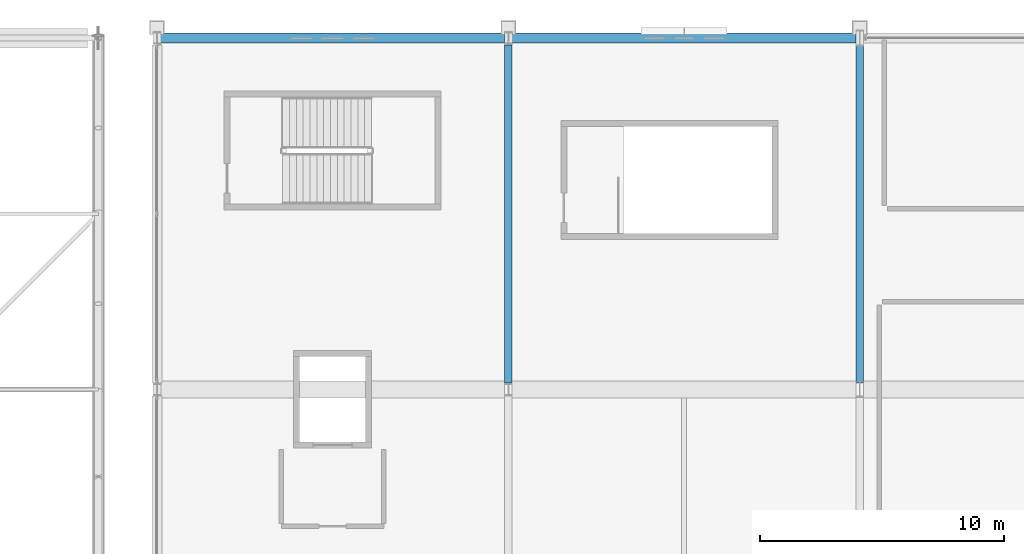
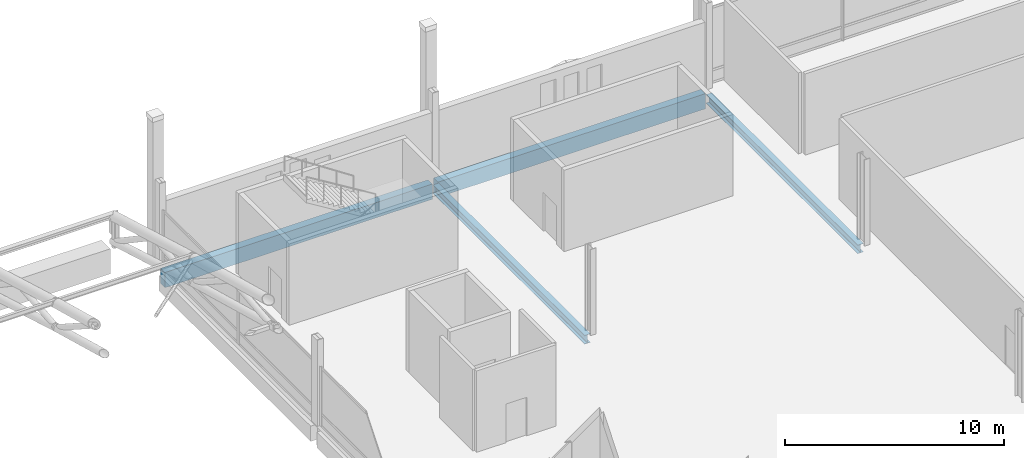
# One storey, part 103 of 193: 4 beams.
"""IFC4 building model written with IfcOpenShell, lengths in metres."""

from ifc_helpers import new_model, si_unit, direction, frame, origin, origin_2d, place, context, subcontext, project, spatial, rectangle, i_section, extrude, material, material_profile, profile_set, type_object, element, save


model = new_model("IFC4")

# Units and contexts
model_context = context("Model", 3, precision=1e-05, world=origin(), true_north=direction((0.0, 1.0)))
body_context = subcontext(model_context, "Body", "Model", "MODEL_VIEW")
ifc_project = project(units=[si_unit("LENGTHUNIT", "METRE"), si_unit("AREAUNIT", "SQUARE_METRE"), si_unit("VOLUMEUNIT", "CUBIC_METRE"), si_unit("PLANEANGLEUNIT", "RADIAN"), si_unit("MASSUNIT", "GRAM", prefix="KILO")], contexts=[model_context])

# Site, building, storey
site_placement = place(None, origin())
site = spatial("IfcSite", under=ifc_project, at=site_placement, CompositionType="ELEMENT")
building_placement = place(site_placement, origin())
building = spatial("IfcBuilding", under=site, at=building_placement, Name="Cendralis Lancet Convention Centre", CompositionType="ELEMENT")
storey_placement = place(building_placement, frame((0.0, 0.0, 10.199951171875)))
storey = spatial("IfcBuildingStorey", under=building, at=storey_placement, Name="L02", CompositionType="ELEMENT", Elevation=10.199951171875)

# Beams
ifc_material_1 = material(Name="Steel S355", Category="steel")
ifc_material_profile_1 = material_profile(ifc_material_1, i_section(OverallWidth=0.300048828125, OverallDepth=0.489990234375, WebThickness=0.011962890625, FlangeThickness=0.02294921875, FilletRadius=0.027099609375, at=origin_2d()), Name="HEA 500")
ifc_profile_set_1 = profile_set([ifc_material_profile_1], Name="Steel S355")
beam_type_1 = type_object("IfcBeamType", Name="STR-BM-SG12", PredefinedType="BEAM", material=ifc_profile_set_1)
for number, where, z_axis, x_axis, name in (
    (1, (139.199951171875, 122.675048828125, -0.544921875), (0.0, 1.0, 0.0), (-1.0, 0.0, 0.0), "L02 Beam SG12 #1726"),
    (2, (153.60009765625, 122.675048828125, -0.544921875), (0.0, 1.0, 0.0), (-1.0, 0.0, 0.0), "L02 Beam SG12 #1729"),
):
    element("IfcBeam", number, at=place(storey_placement, frame(where, z_axis=z_axis, x_axis=x_axis)), inside=storey, type_object=beam_type_1, Name=name, PredefinedType="BEAM", context=body_context, shape_type="SweptSolid", body=[
        extrude(i_section(OverallWidth=0.300048828125, OverallDepth=0.489990234375, WebThickness=0.011962890625, FlangeThickness=0.02294921875, FilletRadius=0.027099609375, at=origin_2d()), origin(), (0.0, 0.0, 1.0), 13.849853515625),
    ])
ifc_material_2 = material(Name="Concrete G40 (C40/50)", Category="concrete")
ifc_material_profile_2 = material_profile(ifc_material_2, rectangle(XDim=0.39990234375, YDim=0.85009765625, at=origin_2d()), Name="RCB 400x850")
ifc_profile_set_2 = profile_set([ifc_material_profile_2], Name="Concrete G40 (C40/50)")
beam_type_2 = type_object("IfcBeamType", Name="STR-SP-SP02", PredefinedType="SPANDREL", material=ifc_profile_set_2)
beam_1_placement = place(storey_placement, frame((124.949951171875, 136.800048828125, -0.724853515625), z_axis=(1.0, 0.0, 0.0), x_axis=(0.0, 1.0, 0.0)))
element("IfcBeam", 3, at=beam_1_placement, inside=storey, type_object=beam_type_2, Name="L02 Beam SP02 #1715", PredefinedType="SPANDREL", context=body_context, shape_type="SweptSolid", body=[
    extrude(rectangle(XDim=0.39990234375, YDim=0.85009765625, at=origin_2d()), origin(), (0.0, 0.0, 1.0), 14.10009765625),
])
beam_2_placement = place(storey_placement, frame((139.35009765625, 136.800048828125, -0.724853515625), z_axis=(1.0, 0.0, 0.0), x_axis=(0.0, 1.0, 0.0)))
element("IfcBeam", 4, at=beam_2_placement, inside=storey, type_object=beam_type_2, Name="L02 Beam SP02 #1716", PredefinedType="SPANDREL", context=body_context, shape_type="SweptSolid", body=[
    extrude(rectangle(XDim=0.39990234375, YDim=0.85009765625, at=origin_2d()), origin(), (0.0, 0.0, 1.0), 14.099853515625),
])

save(model, "model.ifc")
